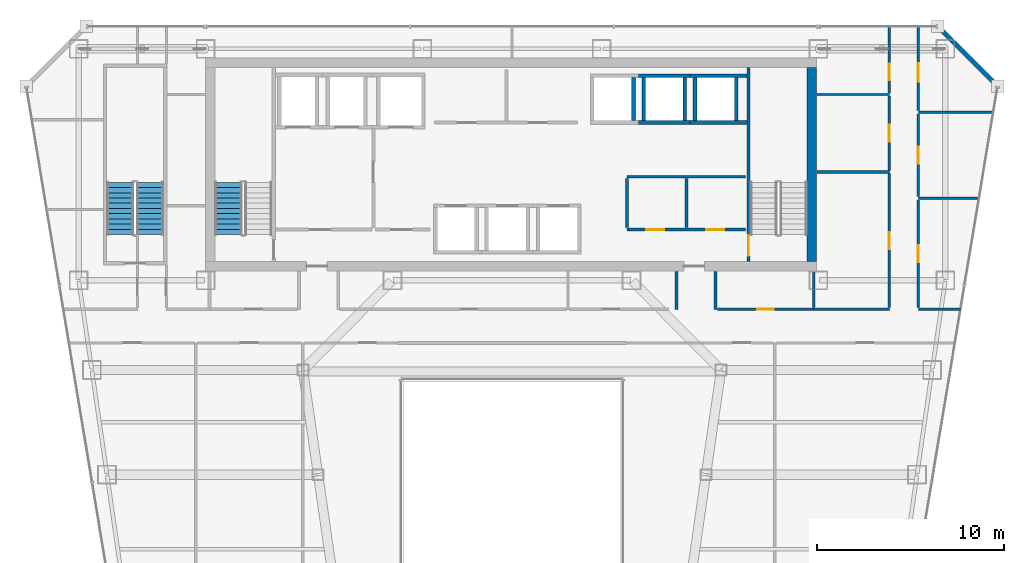
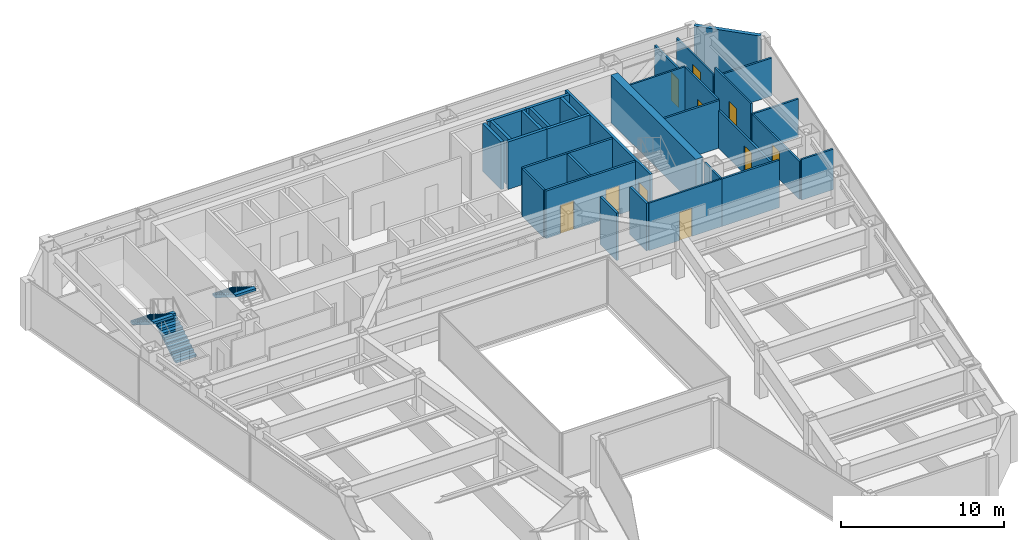
# One storey, part 33 of 37: 32 walls, 10 doors, 3 stair flights, 10 openings, 2 elements without a shape of their own.
"""IFC4 building model written with IfcOpenShell, lengths in metres."""

from ifc_helpers import new_model, si_unit, direction, frame, frame_2d, origin, place, context, subcontext, project, spatial, polyline, rectangle, outline, extrude, material, layer, layer_set, type_object, element, fill, aggregate, save


model = new_model("IFC4")

# Units and contexts
model_context = context("Model", 3, precision=1e-05, world=origin(), true_north=direction((0.0, 1.0)))
body_context = subcontext(model_context, "Body", "Model", "MODEL_VIEW")
ifc_project = project(units=[si_unit("LENGTHUNIT", "METRE"), si_unit("AREAUNIT", "SQUARE_METRE"), si_unit("VOLUMEUNIT", "CUBIC_METRE"), si_unit("PLANEANGLEUNIT", "RADIAN"), si_unit("MASSUNIT", "GRAM", prefix="KILO")], contexts=[model_context])

# Site, building, storey
site_placement = place(None, origin())
site = spatial("IfcSite", under=ifc_project, at=site_placement, CompositionType="ELEMENT")
building_placement = place(site_placement, origin())
building = spatial("IfcBuilding", under=site, at=building_placement, Name="Saevonmaru Cultural Tower", CompositionType="ELEMENT")
storey_placement = place(building_placement, frame((0.0, 0.0, 163.800048828125)))
storey = spatial("IfcBuildingStorey", under=building, at=storey_placement, Name="L36", CompositionType="ELEMENT", Elevation=163.800048828125)

# Wall
ifc_material_1 = material(Name="Concrete C60/75", Category="concrete")
ifc_layer_1 = layer(ifc_material_1, 0.5, Name="Concrete C60/75")
ifc_layer_set_1 = layer_set([ifc_layer_1], Name="Concrete C60/75")
wall_type_1 = type_object("IfcWallType", Name="WL-CORE-500", PredefinedType="SHEAR", material=ifc_layer_set_1)
wall_1_placement = place(storey_placement, frame((46.050048828125, 43.39990234375, 0.0), z_axis=(0.0, 0.0, 1.0), x_axis=(0.0, 1.0, 0.0)))
element("IfcWall", 1, at=wall_1_placement, inside=storey, type_object=wall_type_1, Name="L36 Tower RC core shear wall E", PredefinedType="SHEAR", context=body_context, shape_type="SweptSolid", body=[
    extrude(rectangle(XDim=10.400146484375, YDim=0.5, at=frame_2d((5.2001953125, 0.0))), origin(), (0.0, 0.0, 1.0), 3.550048828125),
])

# Wall, openings, doors
ifc_material_2 = material(Name="Gypsum Fireboard Partition", Category="gypsum")
ifc_layer_2 = layer(ifc_material_2, 0.14990234375, Name="Gypsum Fireboard Partition")
ifc_layer_set_2 = layer_set([ifc_layer_2], Name="Gypsum Fireboard Partition")
wall_type_2 = type_object("IfcWallType", Name="WL-CORE-PART-150", PredefinedType="PARTITIONING", material=ifc_layer_set_2)
wall_2_placement = place(storey_placement, frame((36.14990234375, 45.1201171875, 0.0), z_axis=(0.0, 0.0, 1.0), x_axis=(1.0, 0.0, 0.0)))
wall_2 = element("IfcWall", 2, at=wall_2_placement, inside=storey, type_object=wall_type_2, Name="L36 Core Cluster South Wall", PredefinedType="PARTITIONING", context=body_context, shape_type="SweptSolid", body=[
    extrude(rectangle(XDim=6.35009765625, YDim=0.14990234375, at=frame_2d((3.175048828125, 0.0))), origin(), (0.0, 0.0, 1.0), 3.550048828125),
])
opening_1_placement = place(wall_2_placement, frame((1.050048828125, 0.0, 0.0)))
opening_1 = element("IfcOpeningElement", 3, at=opening_1_placement, cuts=wall_2, Name="Opening FD-4", PredefinedType="OPENING", context=body_context, shape_type="SweptSolid", body=[
    extrude(rectangle(XDim=0.949951171875, YDim=2.14990234375, at=frame_2d((0.47509765625, 1.074951171875))), frame((0.0, 0.0849609375, 0.0), z_axis=(0.0, -1.0, 0.0), x_axis=(1.0, 0.0, 0.0)), (0.0, 0.0, 1.0), 0.169921875),
])
opening_2_placement = place(wall_2_placement, frame((4.25, 0.0, 0.0)))
opening_2 = element("IfcOpeningElement", 4, at=opening_2_placement, cuts=wall_2, Name="Opening FD-4", PredefinedType="OPENING", context=body_context, shape_type="SweptSolid", body=[
    extrude(rectangle(XDim=0.949951171875, YDim=2.14990234375, at=frame_2d((0.47509765625, 1.074951171875))), frame((0.0, 0.0849609375, 0.0), z_axis=(0.0, -1.0, 0.0), x_axis=(1.0, 0.0, 0.0)), (0.0, 0.0, 1.0), 0.169921875),
])
ifc_material_3 = material(Name="Satin Bronze Anodised Aluminium", Category="aluminium")
door_type_1 = type_object("IfcDoorType", Name="DR-FD60-950", OperationType="SINGLE_SWING_LEFT", PredefinedType="DOOR", material=ifc_material_3)
door_1_placement = place(opening_1_placement, origin())
door_1 = element("IfcDoor", 5, at=door_1_placement, inside=storey, type_object=door_type_1, Name="L36 BMS Control Room Door", OperationType="SINGLE_SWING_LEFT", OverallHeight=2.14990234375, OverallWidth=0.949951171875, PredefinedType="DOOR", context=body_context, shape_type="SweptSolid", body=[
    extrude(rectangle(XDim=0.949951171875, YDim=2.14990234375, at=frame_2d((0.47509765625, 1.074951171875))), frame((0.0, 0.02490234375, 0.0), z_axis=(0.0, -1.0, 0.0), x_axis=(1.0, 0.0, 0.0)), (0.0, 0.0, 1.0), 0.050048828125),
])
fill(opening_1, door_1)
door_2_placement = place(opening_2_placement, origin())
door_2 = element("IfcDoor", 6, at=door_2_placement, inside=storey, type_object=door_type_1, Name="L36 Fibre Node Plant Door", OperationType="SINGLE_SWING_LEFT", OverallHeight=2.14990234375, OverallWidth=0.949951171875, PredefinedType="DOOR", context=body_context, shape_type="SweptSolid", body=[
    extrude(rectangle(XDim=0.949951171875, YDim=2.14990234375, at=frame_2d((0.47509765625, 1.074951171875))), frame((0.0, 0.02490234375, 0.0), z_axis=(0.0, -1.0, 0.0), x_axis=(1.0, 0.0, 0.0)), (0.0, 0.0, 1.0), 0.050048828125),
])
fill(opening_2, door_2)

# Walls
wall_3_placement = place(storey_placement, frame((36.14990234375, 47.949951171875, 0.0), z_axis=(0.0, 0.0, 1.0), x_axis=(1.0, 0.0, 0.0)))
element("IfcWall", 7, at=wall_3_placement, inside=storey, type_object=wall_type_2, Name="L36 Core Cluster North Wall", PredefinedType="PARTITIONING", context=body_context, shape_type="SweptSolid", body=[
    extrude(rectangle(XDim=6.35009765625, YDim=0.14990234375, at=frame_2d((3.175048828125, 0.0))), origin(), (0.0, 0.0, 1.0), 3.550048828125),
])
for number, where, z_axis, x_axis, name in (
    (8, (36.14990234375, 45.219970703125, 0.0), (0.0, 0.0, 1.0), (0.0, 1.0, 0.0), "L36 Core Cluster West Wall"),
    (9, (39.35009765625, 45.219970703125, 0.0), (0.0, 0.0, 1.0), (0.0, 1.0, 0.0), "L36 Core Cluster Inner Split"),
):
    element("IfcWall", number, at=place(storey_placement, frame(where, z_axis=z_axis, x_axis=x_axis)), inside=storey, type_object=wall_type_2, Name=name, PredefinedType="PARTITIONING", context=body_context, shape_type="SweptSolid", body=[
        extrude(rectangle(XDim=2.630126953125, YDim=0.14990234375, at=frame_2d((1.31494140625, 0.0))), origin(), (0.0, 0.0, 1.0), 3.550048828125),
    ])
ifc_material_4 = material(Name="Granite-Clad Precast Concrete C40/50", Category="masonry")
ifc_layer_3 = layer(ifc_material_4, 0.260009765625, Name="Granite-Clad Precast Concrete C40/50")
ifc_layer_set_3 = layer_set([ifc_layer_3], Name="Granite-Clad Precast Concrete C40/50")
wall_type_3 = type_object("IfcWallType", Name="WL-EXT-SPANDREL-260", PredefinedType="STANDARD", material=ifc_layer_set_3)
wall_4_placement = place(storey_placement, frame((55.886962890625, 52.9130859375, 0.0), z_axis=(0.0, 0.0, 1.0), x_axis=(-0.707106781187, 0.707106781187, 0.0)))
element("IfcWall", 10, at=wall_4_placement, inside=storey, type_object=wall_type_3, Name="L36 Chamfer Corner Spandrel Wall E9", PredefinedType="STANDARD", context=body_context, shape_type="SweptSolid", body=[
    extrude(rectangle(XDim=4.205810546875, YDim=0.260009765625, at=frame_2d((2.10302734375, 0.0))), origin(), (0.0, 0.0, 1.0), 3.550048828125),
])
ifc_layer_4 = layer(ifc_material_2, 0.14990234375, Name="Gypsum Fireboard Partition")
ifc_layer_set_4 = layer_set([ifc_layer_4], Name="Gypsum Fireboard Partition")
wall_type_4 = type_object("IfcWallType", Name="WL-PART-FIRE-150", PredefinedType="PARTITIONING", material=ifc_layer_set_4)
for number, where, z_axis, x_axis, name in (
    (11, (38.800048828125, 40.85009765625, 0.0), (0.0, 0.0, 1.0), (0.0, 1.0, 0.0), "L36 Core Portal Side Wall E1"),
    (12, (40.89990234375, 40.85009765625, 0.0), (0.0, 0.0, 1.0), (0.0, 1.0, 0.0), "L36 Core Portal Side Wall E2"),
):
    element("IfcWall", number, at=place(storey_placement, frame(where, z_axis=z_axis, x_axis=x_axis)), inside=storey, type_object=wall_type_4, Name=name, PredefinedType="PARTITIONING", context=body_context, shape_type="SweptSolid", body=[
        extrude(rectangle(XDim=2.02978515625, YDim=0.14990234375, at=frame_2d((1.014892578125, 0.0))), origin(), (0.0, 0.0, 1.0), 3.550048828125),
    ])
ifc_layer_5 = layer(ifc_material_2, 0.1201171875, Name="Gypsum Fireboard Partition")
ifc_layer_set_5 = layer_set([ifc_layer_5], Name="Gypsum Fireboard Partition")
wall_type_5 = type_object("IfcWallType", Name="WL-PART-GYP-120", PredefinedType="PARTITIONING", material=ifc_layer_set_5)
wall_5_placement = place(storey_placement, frame((46.320068359375, 52.35009765625, 0.0), z_axis=(0.0, 0.0, 1.0), x_axis=(1.0, 0.0, 0.0)))
element("IfcWall", 13, at=wall_5_placement, inside=storey, type_object=wall_type_5, Name="L36 North-East Panorama South Wall", PredefinedType="PARTITIONING", context=body_context, shape_type="SweptSolid", body=[
    extrude(rectangle(XDim=3.8798828125, YDim=0.1201171875, at=frame_2d((1.93994140625, 0.0))), origin(), (0.0, 0.0, 1.0), 3.550048828125),
])

# Wall, opening, door
wall_6_placement = place(storey_placement, frame((50.199951171875, 48.2900390625, 0.0), z_axis=(0.0, 0.0, 1.0), x_axis=(0.0, 1.0, 0.0)))
wall_6 = element("IfcWall", 14, at=wall_6_placement, inside=storey, type_object=wall_type_5, Name="L36 Translation Research Office Corridor Wall", PredefinedType="PARTITIONING", context=body_context, shape_type="SweptSolid", body=[
    extrude(rectangle(XDim=3.97998046875, YDim=0.1201171875, at=frame_2d((1.989990234375, 0.0))), origin(), (0.0, 0.0, 1.0), 3.550048828125),
])
opening_3_placement = place(wall_6_placement, frame((1.5400390625, 0.0, 0.0)))
opening_3 = element("IfcOpeningElement", 15, at=opening_3_placement, cuts=wall_6, Name="Opening ID-2", PredefinedType="OPENING", context=body_context, shape_type="SweptSolid", body=[
    extrude(rectangle(XDim=0.89990234375, YDim=2.10009765625, at=frame_2d((0.449951171875, 1.050048828125))), frame((0.0, 0.070068359375, 0.0), z_axis=(0.0, -1.0, 0.0), x_axis=(1.0, 0.0, 0.0)), (0.0, 0.0, 1.0), 0.14013671875),
])
ifc_material_5 = material(Name="Acoustic Stained Oak Timber", Category="wood")
door_type_2 = type_object("IfcDoorType", Name="DR-INT-900", OperationType="SINGLE_SWING_RIGHT", PredefinedType="DOOR", material=ifc_material_5)
door_3_placement = place(opening_3_placement, origin())
door_3 = element("IfcDoor", 16, at=door_3_placement, inside=storey, type_object=door_type_2, Name="L36 Translation Research Office Door", OperationType="SINGLE_SWING_LEFT", OverallHeight=2.10009765625, OverallWidth=0.89990234375, PredefinedType="DOOR", context=body_context, shape_type="SweptSolid", body=[
    extrude(rectangle(XDim=0.89990234375, YDim=2.10009765625, at=frame_2d((0.449951171875, 1.050048828125))), frame((0.0, 0.02490234375, 0.0), z_axis=(0.0, -1.0, 0.0), x_axis=(1.0, 0.0, 0.0)), (0.0, 0.0, 1.0), 0.050048828125),
])
fill(opening_3, door_3)

wall_7_placement = place(storey_placement, frame((50.199951171875, 52.429931640625, 0.0), z_axis=(0.0, 0.0, 1.0), x_axis=(0.0, 1.0, 0.0)))
wall_7 = element("IfcWall", 17, at=wall_7_placement, inside=storey, type_object=wall_type_5, Name="L36 Architecture Residency Office Corridor Wall", PredefinedType="PARTITIONING", context=body_context, shape_type="SweptSolid", body=[
    extrude(rectangle(XDim=3.565185546875, YDim=0.1201171875, at=frame_2d((1.78271484375, 0.0))), origin(), (0.0, 0.0, 1.0), 2.93505859375),
])
opening_4_placement = place(wall_7_placement, frame((0.672119140625, 0.0, 0.0)))
opening_4 = element("IfcOpeningElement", 18, at=opening_4_placement, cuts=wall_7, Name="Opening ID-2", PredefinedType="OPENING", context=body_context, shape_type="SweptSolid", body=[
    extrude(rectangle(XDim=0.89990234375, YDim=2.10009765625, at=frame_2d((0.449951171875, 1.050048828125))), frame((0.0, 0.070068359375, 0.0), z_axis=(0.0, -1.0, 0.0), x_axis=(1.0, 0.0, 0.0)), (0.0, 0.0, 1.0), 0.14013671875),
])
door_4_placement = place(opening_4_placement, origin())
door_4 = element("IfcDoor", 19, at=door_4_placement, inside=storey, type_object=door_type_2, Name="L36 Architecture Residency Office Door", OperationType="SINGLE_SWING_RIGHT", OverallHeight=2.10009765625, OverallWidth=0.89990234375, PredefinedType="DOOR", context=body_context, shape_type="SweptSolid", body=[
    extrude(rectangle(XDim=0.89990234375, YDim=2.10009765625, at=frame_2d((0.449951171875, 1.050048828125))), frame((0.0, 0.02490234375, 0.0), z_axis=(0.0, -1.0, 0.0), x_axis=(1.0, 0.0, 0.0)), (0.0, 0.0, 1.0), 0.050048828125),
])
fill(opening_4, door_4)

wall_8_placement = place(storey_placement, frame((51.75, 40.9375, 0.0), z_axis=(0.0, 0.0, 1.0), x_axis=(0.0, 1.0, 0.0)))
wall_8 = element("IfcWall", 20, at=wall_8_placement, inside=storey, type_object=wall_type_5, Name="L36 Urban Design Meeting Room Corridor Wall", PredefinedType="PARTITIONING", context=body_context, shape_type="SweptSolid", body=[
    extrude(rectangle(XDim=5.77490234375, YDim=0.1201171875, at=frame_2d((2.887451171875, 0.0))), origin(), (0.0, 0.0, 1.0), 2.8349609375),
])
opening_5_placement = place(wall_8_placement, frame((2.43701171875, 0.0, 0.0)))
opening_5 = element("IfcOpeningElement", 21, at=opening_5_placement, cuts=wall_8, Name="Opening ID-2", PredefinedType="OPENING", context=body_context, shape_type="SweptSolid", body=[
    extrude(rectangle(XDim=0.89990234375, YDim=2.10009765625, at=frame_2d((0.449951171875, 1.050048828125))), frame((0.0, 0.070068359375, 0.0), z_axis=(0.0, -1.0, 0.0), x_axis=(1.0, 0.0, 0.0)), (0.0, 0.0, 1.0), 0.14013671875),
])
door_5_placement = place(opening_5_placement, origin())
door_5 = element("IfcDoor", 22, at=door_5_placement, inside=storey, type_object=door_type_2, Name="L36 Urban Design Meeting Room Door", OperationType="SINGLE_SWING_LEFT", OverallHeight=2.10009765625, OverallWidth=0.89990234375, PredefinedType="DOOR", context=body_context, shape_type="SweptSolid", body=[
    extrude(rectangle(XDim=0.89990234375, YDim=2.10009765625, at=frame_2d((0.449951171875, 1.050048828125))), frame((0.0, 0.02490234375, 0.0), z_axis=(0.0, -1.0, 0.0), x_axis=(1.0, 0.0, 0.0)), (0.0, 0.0, 1.0), 0.050048828125),
])
fill(opening_5, door_5)

wall_9_placement = place(storey_placement, frame((51.75, 46.887451171875, 0.0), z_axis=(0.0, 0.0, 1.0), x_axis=(0.0, 1.0, 0.0)))
wall_9 = element("IfcWall", 23, at=wall_9_placement, inside=storey, type_object=wall_type_5, Name="L36 Printmaking Workshop Classroom Corridor Wall", PredefinedType="PARTITIONING", context=body_context, shape_type="SweptSolid", body=[
    extrude(rectangle(XDim=4.425048828125, YDim=0.1201171875, at=frame_2d((2.21240234375, 0.0))), origin(), (0.0, 0.0, 1.0), 3.550048828125),
])
opening_6_placement = place(wall_9_placement, frame((1.761962890625, 0.0, 0.0)))
opening_6 = element("IfcOpeningElement", 24, at=opening_6_placement, cuts=wall_9, Name="Opening ID-2", PredefinedType="OPENING", context=body_context, shape_type="SweptSolid", body=[
    extrude(rectangle(XDim=0.89990234375, YDim=2.10009765625, at=frame_2d((0.449951171875, 1.050048828125))), frame((0.0, 0.070068359375, 0.0), z_axis=(0.0, -1.0, 0.0), x_axis=(1.0, 0.0, 0.0)), (0.0, 0.0, 1.0), 0.14013671875),
])
door_6_placement = place(opening_6_placement, origin())
door_6 = element("IfcDoor", 25, at=door_6_placement, inside=storey, type_object=door_type_2, Name="L36 Printmaking Workshop Classroom Door", OperationType="SINGLE_SWING_RIGHT", OverallHeight=2.10009765625, OverallWidth=0.89990234375, PredefinedType="DOOR", context=body_context, shape_type="SweptSolid", body=[
    extrude(rectangle(XDim=0.89990234375, YDim=2.10009765625, at=frame_2d((0.449951171875, 1.050048828125))), frame((0.0, 0.02490234375, 0.0), z_axis=(0.0, -1.0, 0.0), x_axis=(1.0, 0.0, 0.0)), (0.0, 0.0, 1.0), 0.050048828125),
])
fill(opening_6, door_6)

wall_10_placement = place(storey_placement, frame((51.75, 51.487548828125, 0.0), z_axis=(0.0, 0.0, 1.0), x_axis=(0.0, 1.0, 0.0)))
wall_10 = element("IfcWall", 26, at=wall_10_placement, inside=storey, type_object=wall_type_5, Name="L36 Botanical Tea Bistro Corridor Wall", PredefinedType="PARTITIONING", context=body_context, shape_type="SweptSolid", body=[
    extrude(rectangle(XDim=4.507568359375, YDim=0.1201171875, at=frame_2d((2.25390625, 0.0))), origin(), (0.0, 0.0, 1.0), 2.93505859375),
])
opening_7_placement = place(wall_10_placement, frame((1.533935546875, 0.0, 0.0)))
opening_7 = element("IfcOpeningElement", 27, at=opening_7_placement, cuts=wall_10, Name="Opening ID-1B", PredefinedType="OPENING", context=body_context, shape_type="SweptSolid", body=[
    extrude(rectangle(XDim=1.0, YDim=2.14990234375, at=frame_2d((0.5, 1.074951171875))), frame((0.0, 0.070068359375, 0.0), z_axis=(0.0, -1.0, 0.0), x_axis=(1.0, 0.0, 0.0)), (0.0, 0.0, 1.0), 0.14013671875),
])
door_type_3 = type_object("IfcDoorType", Name="DR-INT-1000", OperationType="SINGLE_SWING_RIGHT", PredefinedType="DOOR", material=ifc_material_5)
door_7_placement = place(opening_7_placement, origin())
door_7 = element("IfcDoor", 28, at=door_7_placement, inside=storey, type_object=door_type_3, Name="L36 Botanical Tea Bistro Door", OperationType="SINGLE_SWING_LEFT", OverallHeight=2.14990234375, OverallWidth=1.0, PredefinedType="DOOR", context=body_context, shape_type="SweptSolid", body=[
    extrude(rectangle(XDim=1.0, YDim=2.14990234375, at=frame_2d((0.5, 1.074951171875))), frame((0.0, 0.02490234375, 0.0), z_axis=(0.0, -1.0, 0.0), x_axis=(1.0, 0.0, 0.0)), (0.0, 0.0, 1.0), 0.050048828125),
])
fill(opening_7, door_7)

wall_11_placement = place(storey_placement, frame((40.9951171875, 40.85009765625, 0.0), z_axis=(0.0, 0.0, 1.0), x_axis=(1.0, 0.0, 0.0)))
wall_11 = element("IfcWall", 29, at=wall_11_placement, inside=storey, type_object=wall_type_5, Name="L36 Literature Seminar Meeting Room Corridor Wall", PredefinedType="PARTITIONING", context=body_context, shape_type="SweptSolid", body=[
    extrude(rectangle(XDim=5.15478515625, YDim=0.1201171875, at=frame_2d((2.577392578125, 0.0))), origin(), (0.0, 0.0, 1.0), 3.550048828125),
])
opening_8_placement = place(wall_11_placement, frame((2.1279296875, 0.0, 0.0)))
opening_8 = element("IfcOpeningElement", 30, at=opening_8_placement, cuts=wall_11, Name="Opening ID-2", PredefinedType="OPENING", context=body_context, shape_type="SweptSolid", body=[
    extrude(rectangle(XDim=0.89990234375, YDim=2.10009765625, at=frame_2d((0.449951171875, 1.050048828125))), frame((0.0, 0.070068359375, 0.0), z_axis=(0.0, -1.0, 0.0), x_axis=(1.0, 0.0, 0.0)), (0.0, 0.0, 1.0), 0.14013671875),
])
door_8_placement = place(opening_8_placement, origin())
door_8 = element("IfcDoor", 31, at=door_8_placement, inside=storey, type_object=door_type_2, Name="L36 Literature Seminar Meeting Room Door", OperationType="SINGLE_SWING_LEFT", OverallHeight=2.10009765625, OverallWidth=0.89990234375, PredefinedType="DOOR", context=body_context, shape_type="SweptSolid", body=[
    extrude(rectangle(XDim=0.89990234375, YDim=2.10009765625, at=frame_2d((0.449951171875, 1.050048828125))), frame((0.0, 0.02490234375, 0.0), z_axis=(0.0, -1.0, 0.0), x_axis=(1.0, 0.0, 0.0)), (0.0, 0.0, 1.0), 0.050048828125),
])
fill(opening_8, door_8)

# Walls
ifc_layer_6 = layer(ifc_material_2, 0.135009765625, Name="Gypsum Fireboard Partition")
ifc_layer_set_6 = layer_set([ifc_layer_6], Name="Gypsum Fireboard Partition")
wall_type_6 = type_object("IfcWallType", Name="WL-PART-GYP-135", PredefinedType="PARTITIONING", material=ifc_layer_set_6)
wall_12_placement = place(storey_placement, frame((51.75, 40.85009765625, 0.0), z_axis=(0.0, 0.0, 1.0), x_axis=(1.0, 0.0, 0.0)))
element("IfcWall", 32, at=wall_12_placement, inside=storey, type_object=wall_type_6, Name="L36 NE Wing South Wall", PredefinedType="PARTITIONING", context=body_context, shape_type="SweptSolid", body=[
    extrude(rectangle(XDim=2.25830078125, YDim=0.135009765625, at=frame_2d((1.129150390625, 0.0))), origin(), (0.0, 0.0, 1.0), 3.034912109375),
])
wall_13_placement = place(storey_placement, frame((51.75, 46.800048828125, 0.0), z_axis=(0.0, 0.0, 1.0), x_axis=(1.0, 0.0, 0.0)))
element("IfcWall", 33, at=wall_13_placement, inside=storey, type_object=wall_type_6, Name="L36 NE Studio Divider 1", PredefinedType="PARTITIONING", context=body_context, shape_type="SweptSolid", body=[
    extrude(rectangle(XDim=3.247314453125, YDim=0.135009765625, at=frame_2d((1.62353515625, 0.0))), origin(), (0.0, 0.0, 1.0), 2.8349609375),
])
wall_14_placement = place(storey_placement, frame((51.75, 51.39990234375, 0.0), z_axis=(0.0, 0.0, 1.0), x_axis=(1.0, 0.0, 0.0)))
element("IfcWall", 34, at=wall_14_placement, inside=storey, type_object=wall_type_6, Name="L36 NE Studio Divider 2", PredefinedType="PARTITIONING", context=body_context, shape_type="SweptSolid", body=[
    extrude(rectangle(XDim=4.01220703125, YDim=0.135009765625, at=frame_2d((2.006103515625, 0.0))), origin(), (0.0, 0.0, 1.0), 2.8349609375),
])
ifc_layer_7 = layer(ifc_material_2, 0.139892578125, Name="Gypsum Fireboard Partition")
ifc_layer_set_7 = layer_set([ifc_layer_7], Name="Gypsum Fireboard Partition")
wall_type_7 = type_object("IfcWallType", Name="WL-PART-WET-140", PredefinedType="PARTITIONING", material=ifc_layer_set_7)
wall_15_placement = place(storey_placement, frame((46.14990234375, 40.85009765625, 0.0), z_axis=(0.0, 0.0, 1.0), x_axis=(1.0, 0.0, 0.0)))
element("IfcWall", 35, at=wall_15_placement, inside=storey, type_object=wall_type_7, Name="L36 Washroom South Wall", PredefinedType="PARTITIONING", context=body_context, shape_type="SweptSolid", body=[
    extrude(rectangle(XDim=4.050048828125, YDim=0.139892578125, at=frame_2d((2.02490234375, 0.0))), origin(), (0.0, 0.0, 1.0), 3.550048828125),
])
wall_16_placement = place(storey_placement, frame((46.14990234375, 40.93994140625, 0.0), z_axis=(0.0, 0.0, 1.0), x_axis=(0.0, 1.0, 0.0)))
element("IfcWall", 36, at=wall_16_placement, inside=storey, type_object=wall_type_7, Name="L36 Washroom South-West Return", PredefinedType="PARTITIONING", context=body_context, shape_type="SweptSolid", body=[
    extrude(rectangle(XDim=1.93994140625, YDim=0.139892578125, at=frame_2d((0.969970703125, 0.0))), origin(), (0.0, 0.0, 1.0), 3.550048828125),
])
wall_17_placement = place(storey_placement, frame((46.320068359375, 48.199951171875, 0.0), z_axis=(0.0, 0.0, 1.0), x_axis=(1.0, 0.0, 0.0)))
element("IfcWall", 37, at=wall_17_placement, inside=storey, type_object=wall_type_7, Name="L36 Washroom North Wall", PredefinedType="PARTITIONING", context=body_context, shape_type="SweptSolid", body=[
    extrude(rectangle(XDim=3.8798828125, YDim=0.139892578125, at=frame_2d((1.93994140625, 0.0))), origin(), (0.0, 0.0, 1.0), 3.550048828125),
])

# Wall, opening, door
wall_18_placement = place(storey_placement, frame((50.199951171875, 40.93994140625, 0.0), z_axis=(0.0, 0.0, 1.0), x_axis=(0.0, 1.0, 0.0)))
wall_18 = element("IfcWall", 38, at=wall_18_placement, inside=storey, type_object=wall_type_7, Name="L36 Washroom Corridor Wall", PredefinedType="PARTITIONING", context=body_context, shape_type="SweptSolid", body=[
    extrude(rectangle(XDim=7.170166015625, YDim=0.139892578125, at=frame_2d((3.5849609375, 0.0))), origin(), (0.0, 0.0, 1.0), 2.8349609375),
])
opening_9_placement = place(wall_18_placement, frame((3.135009765625, 0.0, 0.0)))
opening_9 = element("IfcOpeningElement", 39, at=opening_9_placement, cuts=wall_18, Name="Opening ID-2", PredefinedType="OPENING", context=body_context, shape_type="SweptSolid", body=[
    extrude(rectangle(XDim=0.89990234375, YDim=2.10009765625, at=frame_2d((0.449951171875, 1.050048828125))), frame((0.0, 0.080078125, 0.0), z_axis=(0.0, -1.0, 0.0), x_axis=(1.0, 0.0, 0.0)), (0.0, 0.0, 1.0), 0.159912109375),
])
door_9_placement = place(opening_9_placement, origin())
door_9 = element("IfcDoor", 40, at=door_9_placement, inside=storey, type_object=door_type_2, Name="L36 Public Accessible Washrooms Door", OperationType="SINGLE_SWING_RIGHT", OverallHeight=2.10009765625, OverallWidth=0.89990234375, PredefinedType="DOOR", context=body_context, shape_type="SweptSolid", body=[
    extrude(rectangle(XDim=0.89990234375, YDim=2.10009765625, at=frame_2d((0.449951171875, 1.050048828125))), frame((0.0, 0.02490234375, 0.0), z_axis=(0.0, -1.0, 0.0), x_axis=(1.0, 0.0, 0.0)), (0.0, 0.0, 1.0), 0.050048828125),
])
fill(opening_9, door_9)

# Walls
ifc_material_6 = material(Name="Concrete C40/50", Category="concrete")
ifc_layer_8 = layer(ifc_material_6, 0.199951171875, Name="Concrete C40/50")
ifc_layer_set_8 = layer_set([ifc_layer_8], Name="Concrete C40/50")
wall_type_8 = type_object("IfcWallType", Name="WL-SHAFT-200", PredefinedType="SHEAR", material=ifc_layer_set_8)
wall_19_placement = place(storey_placement, frame((36.5, 50.949951171875, 0.0), z_axis=(0.0, 0.0, 1.0), x_axis=(0.0, 1.0, 0.0)))
element("IfcWall", 41, at=wall_19_placement, inside=storey, type_object=wall_type_8, Name="L36 Lift PL-H1 Hoistway Wall E", PredefinedType="SHEAR", context=body_context, shape_type="SweptSolid", body=[
    extrude(rectangle(XDim=2.300048828125, YDim=0.199951171875, at=frame_2d((1.14990234375, 0.0))), origin(), (0.0, 0.0, 1.0), 3.550048828125),
])
for number, where, z_axis, x_axis, name in (
    (42, (36.77490234375, 50.85009765625, 0.0), (0.0, 0.0, 1.0), (1.0, 0.0, 0.0), "L36 Lift PL-H2 Hoistway Wall S"),
    (43, (36.77490234375, 53.35009765625, 0.0), (0.0, 0.0, 1.0), (1.0, 0.0, 0.0), "L36 Lift PL-H2 Hoistway Wall N"),
):
    element("IfcWall", number, at=place(storey_placement, frame(where, z_axis=z_axis, x_axis=x_axis)), inside=storey, type_object=wall_type_8, Name=name, PredefinedType="SHEAR", context=body_context, shape_type="SweptSolid", body=[
        extrude(rectangle(XDim=2.75, YDim=0.199951171875, at=frame_2d((1.375, 0.0))), origin(), (0.0, 0.0, 1.0), 3.550048828125),
    ])
for number, where, z_axis, x_axis, name in (
    (44, (37.050048828125, 50.949951171875, 0.0), (0.0, 0.0, 1.0), (0.0, 1.0, 0.0), "L36 Lift PL-H2 Hoistway Wall W"),
    (45, (39.25, 50.949951171875, 0.0), (0.0, 0.0, 1.0), (0.0, 1.0, 0.0), "L36 Lift PL-H2 Hoistway Wall E"),
):
    element("IfcWall", number, at=place(storey_placement, frame(where, z_axis=z_axis, x_axis=x_axis)), inside=storey, type_object=wall_type_8, Name=name, PredefinedType="SHEAR", context=body_context, shape_type="SweptSolid", body=[
        extrude(rectangle(XDim=2.300048828125, YDim=0.199951171875, at=frame_2d((1.14990234375, 0.0))), origin(), (0.0, 0.0, 1.0), 3.550048828125),
    ])
for number, where, z_axis, x_axis, name in (
    (46, (39.52490234375, 50.85009765625, 0.0), (0.0, 0.0, 1.0), (1.0, 0.0, 0.0), "L36 Lift PL-H3 Hoistway Wall S"),
    (47, (39.52490234375, 53.35009765625, 0.0), (0.0, 0.0, 1.0), (1.0, 0.0, 0.0), "L36 Lift PL-H3 Hoistway Wall N"),
):
    element("IfcWall", number, at=place(storey_placement, frame(where, z_axis=z_axis, x_axis=x_axis)), inside=storey, type_object=wall_type_8, Name=name, PredefinedType="SHEAR", context=body_context, shape_type="SweptSolid", body=[
        extrude(rectangle(XDim=3.045166015625, YDim=0.199951171875, at=frame_2d((1.5224609375, 0.0))), origin(), (0.0, 0.0, 1.0), 3.550048828125),
    ])
for number, where, z_axis, x_axis, name in (
    (48, (39.800048828125, 50.949951171875, 0.0), (0.0, 0.0, 1.0), (0.0, 1.0, 0.0), "L36 Lift PL-H3 Hoistway Wall W"),
    (49, (42.0, 50.949951171875, 0.0), (0.0, 0.0, 1.0), (0.0, 1.0, 0.0), "L36 Lift PL-H3 Hoistway Wall E"),
):
    element("IfcWall", number, at=place(storey_placement, frame(where, z_axis=z_axis, x_axis=x_axis)), inside=storey, type_object=wall_type_8, Name=name, PredefinedType="SHEAR", context=body_context, shape_type="SweptSolid", body=[
        extrude(rectangle(XDim=2.300048828125, YDim=0.199951171875, at=frame_2d((1.14990234375, 0.0))), origin(), (0.0, 0.0, 1.0), 3.550048828125),
    ])

# Wall, opening, door
ifc_layer_9 = layer(ifc_material_6, 0.179931640625, Name="Concrete C40/50")
ifc_layer_set_9 = layer_set([ifc_layer_9], Name="Concrete C40/50")
wall_type_9 = type_object("IfcWallType", Name="WL-STSHAFT-180", PredefinedType="SHEAR", material=ifc_layer_set_9)
wall_20_placement = place(storey_placement, frame((42.659912109375, 53.800048828125, 0.0), z_axis=(0.0, 0.0, 1.0), x_axis=(0.0, -1.0, 0.0)))
wall_20 = element("IfcWall", 50, at=wall_20_placement, inside=storey, type_object=wall_type_9, Name="L36 Stair ST-2 Structural Shaft Wall 1", PredefinedType="SHEAR", context=body_context, shape_type="SweptSolid", body=[
    extrude(rectangle(XDim=10.400146484375, YDim=0.179931640625, at=frame_2d((5.2001953125, 0.0))), origin(), (0.0, 0.0, 1.0), 3.550048828125),
])
opening_10_placement = place(wall_20_placement, frame((8.989990234375, 0.0, 0.0)))
opening_10 = element("IfcOpeningElement", 51, at=opening_10_placement, cuts=wall_20, Name="Opening FD-2", PredefinedType="OPENING", context=body_context, shape_type="SweptSolid", body=[
    extrude(rectangle(XDim=1.10009765625, YDim=2.14990234375, at=frame_2d((0.550048828125, 1.074951171875))), frame((0.0, 0.10009765625, 0.0), z_axis=(0.0, -1.0, 0.0), x_axis=(1.0, 0.0, 0.0)), (0.0, 0.0, 1.0), 0.199951171875),
])
door_type_4 = type_object("IfcDoorType", Name="DR-FD60-1100", OperationType="SINGLE_SWING_LEFT", PredefinedType="DOOR", material=ifc_material_3)
door_10_placement = place(opening_10_placement, origin())
door_10 = element("IfcDoor", 52, at=door_10_placement, inside=storey, type_object=door_type_4, Name="L36 Protected Stair ST-2 Fire Door", OperationType="SINGLE_SWING_LEFT", OverallHeight=2.14990234375, OverallWidth=1.10009765625, PredefinedType="DOOR", context=body_context, shape_type="SweptSolid", body=[
    extrude(rectangle(XDim=1.10009765625, YDim=2.14990234375, at=frame_2d((0.550048828125, 1.074951171875))), frame((0.0, 0.02490234375, 0.0), z_axis=(0.0, -1.0, 0.0), x_axis=(1.0, 0.0, 0.0)), (0.0, 0.0, 1.0), 0.050048828125),
])
fill(opening_10, door_10)

# Stair, stair flight
stair_type = type_object("IfcStairType", Name="STR-DOGLEG-RC", PredefinedType="HALF_TURN_STAIR", material=ifc_material_6)
stair_1_placement = place(storey_placement, origin())
stair_1 = element("IfcStair", 53, at=stair_1_placement, inside=storey, type_object=stair_type, Name="L36 Protected exit stair ST-1", PredefinedType="HALF_TURN_STAIR")
ifc_material_7 = material(Name="Precast concrete C40/50", Category="concrete")
stair_flight_type = type_object("IfcStairFlightType", Name="STF-PRECAST-180", PredefinedType="STRAIGHT", material=ifc_material_7)
stair_flight_1_placement = place(storey_placement, frame((14.824951171875, 47.64990234375, 1.89990234375), z_axis=(0.0, 0.0, 1.0), x_axis=(0.0, -1.0, 0.0)))
stair_flight_1 = element("IfcStairFlight", 54, at=stair_flight_1_placement, type_object=stair_flight_type, Name="ST-1-L36 flight 2", NumberOfRisers=11, NumberOfTreads=10, PredefinedType="STRAIGHT", RiserHeight=0.172727273, TreadLength=0.28, context=body_context, shape_type="SweptSolid", body=[
    extrude(outline(polyline([(0.0, 0.0), (0.0, 0.172607421875), (0.280029296875, 0.172607421875), (0.280029296875, 0.345458984375), (0.56005859375, 0.345458984375), (0.56005859375, 0.51806640625), (0.840087890625, 0.51806640625), (0.840087890625, 0.69091796875), (1.1201171875, 0.69091796875), (1.1201171875, 0.863525390625), (1.39990234375, 0.863525390625), (1.39990234375, 1.036376953125), (1.679931640625, 1.036376953125), (1.679931640625, 1.208984375), (1.9599609375, 1.208984375), (1.9599609375, 1.3818359375), (2.239990234375, 1.3818359375), (2.239990234375, 1.554443359375), (2.52001953125, 1.554443359375), (2.52001953125, 1.727294921875), (2.800048828125, 1.727294921875), (2.800048828125, 1.89990234375), (2.800048828125, 1.551025390625), (0.285400390625, 0.0), (0.0, 0.0)])), frame((0.0, 0.72509765625, 0.0), z_axis=(0.0, -1.0, 0.0), x_axis=(1.0, 0.0, 0.0)), (0.0, 0.0, 1.0), 1.449951171875),
])
aggregate(stair_1, [stair_flight_1])

# Stair, stair flights
stair_2_placement = place(storey_placement, origin())
stair_2 = element("IfcStair", 55, at=stair_2_placement, inside=storey, type_object=stair_type, Name="L36 Protected exit stair ST-3", PredefinedType="HALF_TURN_STAIR")
stair_flight_2_placement = place(storey_placement, frame((10.625, 44.85009765625, 0.0), z_axis=(0.0, 0.0, 1.0), x_axis=(0.0, 1.0, 0.0)))
stair_flight_2 = element("IfcStairFlight", 56, at=stair_flight_2_placement, type_object=stair_flight_type, Name="ST-3-L36 flight 1", NumberOfRisers=11, NumberOfTreads=10, PredefinedType="STRAIGHT", RiserHeight=0.172727273, TreadLength=0.28, context=body_context, shape_type="SweptSolid", body=[
    extrude(outline(polyline([(0.0, 0.0), (0.0, 0.172607421875), (0.280029296875, 0.172607421875), (0.280029296875, 0.345458984375), (0.56005859375, 0.345458984375), (0.56005859375, 0.51806640625), (0.840087890625, 0.51806640625), (0.840087890625, 0.69091796875), (1.1201171875, 0.69091796875), (1.1201171875, 0.863525390625), (1.39990234375, 0.863525390625), (1.39990234375, 1.036376953125), (1.679931640625, 1.036376953125), (1.679931640625, 1.208984375), (1.9599609375, 1.208984375), (1.9599609375, 1.3818359375), (2.239990234375, 1.3818359375), (2.239990234375, 1.554443359375), (2.52001953125, 1.554443359375), (2.52001953125, 1.727294921875), (2.800048828125, 1.727294921875), (2.800048828125, 1.89990234375), (2.800048828125, 1.551025390625), (0.285400390625, 0.0), (0.0, 0.0)])), frame((0.0, 0.72509765625, 0.0), z_axis=(0.0, -1.0, 0.0), x_axis=(1.0, 0.0, 0.0)), (0.0, 0.0, 1.0), 1.449951171875),
])
stair_flight_3_placement = place(storey_placement, frame((9.02490234375, 47.64990234375, 1.89990234375), z_axis=(0.0, 0.0, 1.0), x_axis=(0.0, -1.0, 0.0)))
stair_flight_3 = element("IfcStairFlight", 57, at=stair_flight_3_placement, type_object=stair_flight_type, Name="ST-3-L36 flight 2", NumberOfRisers=11, NumberOfTreads=10, PredefinedType="STRAIGHT", RiserHeight=0.172727273, TreadLength=0.28, context=body_context, shape_type="SweptSolid", body=[
    extrude(outline(polyline([(0.0, 0.0), (0.0, 0.172607421875), (0.280029296875, 0.172607421875), (0.280029296875, 0.345458984375), (0.56005859375, 0.345458984375), (0.56005859375, 0.51806640625), (0.840087890625, 0.51806640625), (0.840087890625, 0.69091796875), (1.1201171875, 0.69091796875), (1.1201171875, 0.863525390625), (1.39990234375, 0.863525390625), (1.39990234375, 1.036376953125), (1.679931640625, 1.036376953125), (1.679931640625, 1.208984375), (1.9599609375, 1.208984375), (1.9599609375, 1.3818359375), (2.239990234375, 1.3818359375), (2.239990234375, 1.554443359375), (2.52001953125, 1.554443359375), (2.52001953125, 1.727294921875), (2.800048828125, 1.727294921875), (2.800048828125, 1.89990234375), (2.800048828125, 1.551025390625), (0.285400390625, 0.0), (0.0, 0.0)])), frame((0.0, 0.72509765625, 0.0), z_axis=(0.0, -1.0, 0.0), x_axis=(1.0, 0.0, 0.0)), (0.0, 0.0, 1.0), 1.449951171875),
])
aggregate(stair_2, [stair_flight_2, stair_flight_3])

save(model, "model.ifc")
